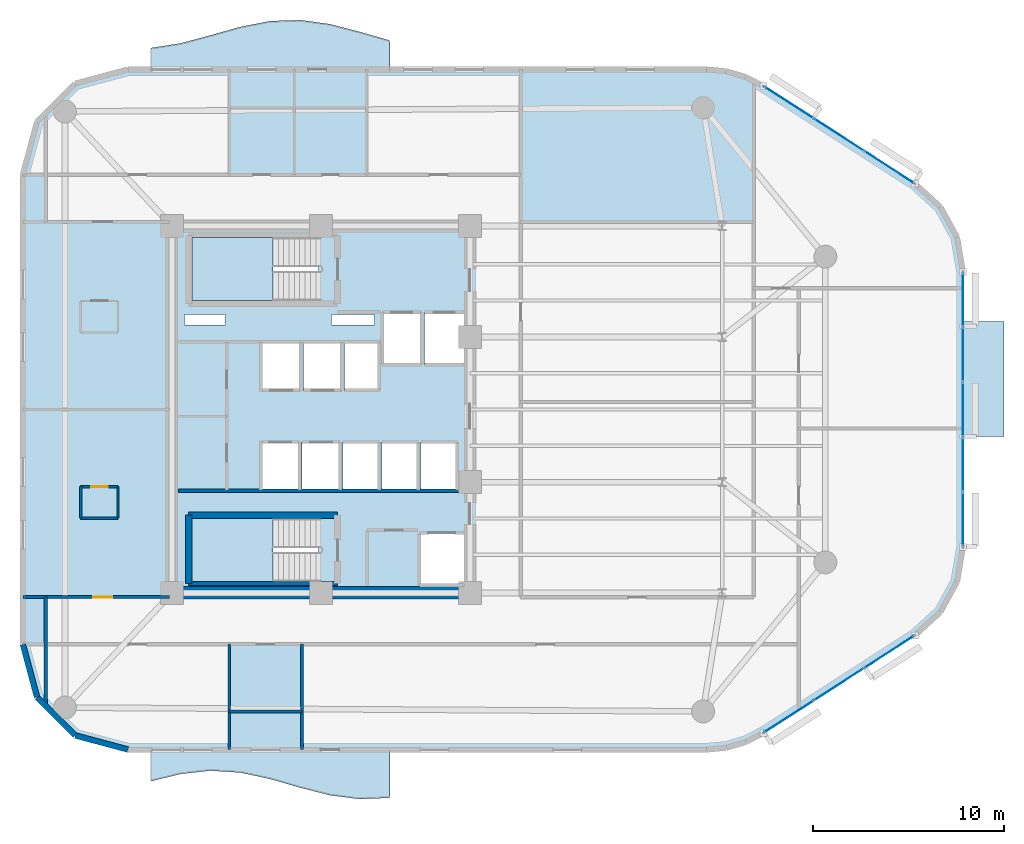
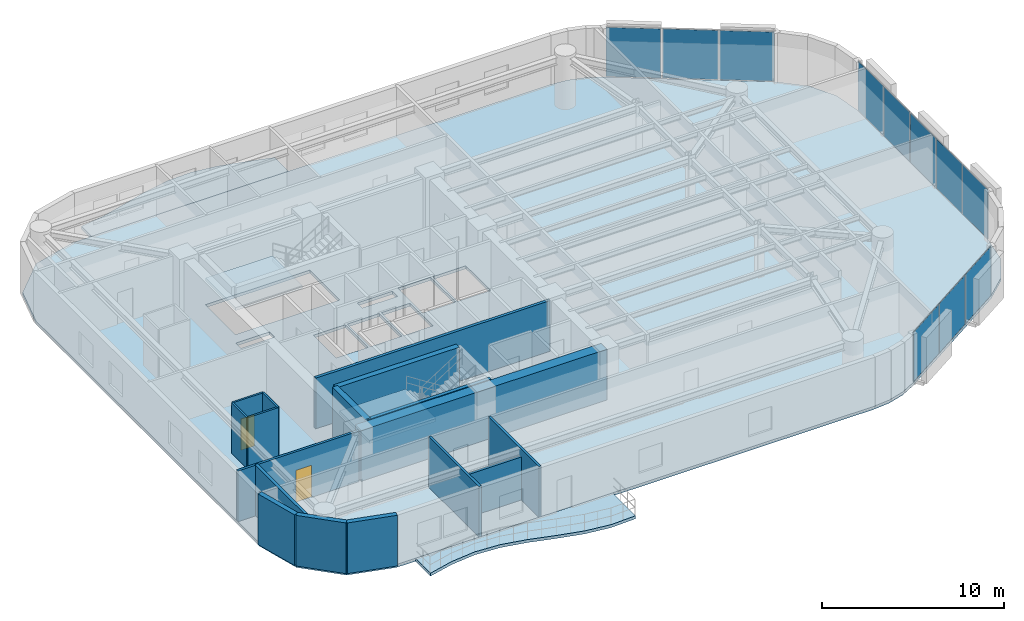
# One storey, part 9 of 15: 17 walls, 11 plates, 6 slabs, 2 doors, 2 openings, 5 elements without a shape of their own.
"""IFC4 building model written with IfcOpenShell, lengths in metres."""

from ifc_helpers import new_model, si_unit, direction, frame, frame_2d, origin, origin_2d, place, context, subcontext, project, spatial, polyline, rectangle, outline, extrude, material, layer, layer_set, type_object, element, fill, aggregate, save


model = new_model("IFC4")

# Units and contexts
model_context = context("Model", 3, precision=1e-05, world=origin(), true_north=direction((0.0, 1.0)))
body_context = subcontext(model_context, "Body", "Model", "MODEL_VIEW")
ifc_project = project(units=[si_unit("LENGTHUNIT", "METRE"), si_unit("AREAUNIT", "SQUARE_METRE"), si_unit("VOLUMEUNIT", "CUBIC_METRE"), si_unit("PLANEANGLEUNIT", "RADIAN"), si_unit("MASSUNIT", "GRAM", prefix="KILO")], contexts=[model_context])

# Site, building, storey
site_placement = place(None, origin())
site = spatial("IfcSite", under=ifc_project, at=site_placement, CompositionType="ELEMENT")
building_placement = place(site_placement, origin())
building = spatial("IfcBuilding", under=site, at=building_placement, Name="An Khanh Terracotta Commons", CompositionType="ELEMENT")
storey_placement = place(building_placement, frame((0.0, 0.0, 165.39990234375)))
storey = spatial("IfcBuildingStorey", under=building, at=storey_placement, Name="L43", CompositionType="ELEMENT", Elevation=165.39990234375)

# Curtain wall, plates
ifc_material_1 = material(Name="Anodised Aluminium 6063-T6", Category="aluminium")
ifc_layer_1 = layer(ifc_material_1, 0.2099609375, Name="Anodised Aluminium 6063-T6")
ifc_layer_set_1 = layer_set([ifc_layer_1], Name="Anodised Aluminium 6063-T6")
curtain_wall_type = type_object("IfcCurtainWallType", Name="CW-SYS-03", PredefinedType="USERDEFINED", material=ifc_layer_set_1)
curtain_wall_1_placement = place(storey_placement, origin())
curtain_wall_1 = element("IfcCurtainWall", 1, at=curtain_wall_1_placement, inside=storey, type_object=curtain_wall_type, Name="L43 CW-03 Unitised Curtain Wall CW-L43-08", ObjectType="UNITISED CURTAIN WALL", PredefinedType="USERDEFINED")
ifc_material_2 = material(Name="Acoustic Laminated Low-E Glazing", Category="glass")
ifc_layer_2 = layer(ifc_material_2, 0.035888671875, Name="Acoustic Laminated Low-E Glazing")
ifc_layer_set_2 = layer_set([ifc_layer_2], Name="Acoustic Laminated Low-E Glazing")
plate_type = type_object("IfcPlateType", Name="CWP-IGU-36", PredefinedType="CURTAIN_PANEL", material=ifc_layer_set_2)
plate_1_placement = place(storey_placement, frame((53.894287109375, 7.935546875, 0.05029296875), z_axis=(0.0, 0.0, 1.0), x_axis=(0.840702081986, 0.541497931062, 0.0)))
plate_1 = element("IfcPlate", 2, at=plate_1_placement, type_object=plate_type, Name="CW-03 panel 1.1", PredefinedType="CURTAIN_PANEL", context=body_context, shape_type="SweptSolid", body=[
    extrude(rectangle(XDim=3.034423828125, YDim=0.035888671875, at=origin_2d()), origin(), (0.0, 0.0, 1.0), 3.300048828125),
])
plate_2_placement = place(storey_placement, frame((56.51904296875, 9.6259765625, 0.05029296875), z_axis=(0.0, 0.0, 1.0), x_axis=(0.840702081986, 0.541497931062, 0.0)))
plate_2 = element("IfcPlate", 3, at=plate_2_placement, type_object=plate_type, Name="CW-03 panel 2.1", PredefinedType="CURTAIN_PANEL", context=body_context, shape_type="SweptSolid", body=[
    extrude(rectangle(XDim=3.0693359375, YDim=0.035888671875, at=origin_2d()), origin(), (0.0, 0.0, 1.0), 3.300048828125),
])
plate_3_placement = place(storey_placement, frame((59.1435546875, 11.31640625, 0.05029296875), z_axis=(0.0, 0.0, 1.0), x_axis=(0.840702081986, 0.541497931062, 0.0)))
plate_3 = element("IfcPlate", 4, at=plate_3_placement, type_object=plate_type, Name="CW-03 panel 3.1", PredefinedType="CURTAIN_PANEL", context=body_context, shape_type="SweptSolid", body=[
    extrude(rectangle(XDim=3.034423828125, YDim=0.035888671875, at=origin_2d()), origin(), (0.0, 0.0, 1.0), 3.300048828125),
])
aggregate(curtain_wall_1, [plate_1, plate_2, plate_3])

curtain_wall_2_placement = place(storey_placement, origin())
curtain_wall_2 = element("IfcCurtainWall", 5, at=curtain_wall_2_placement, inside=storey, type_object=curtain_wall_type, Name="L43 CW-03 Unitised Curtain Wall CW-L43-12", ObjectType="UNITISED CURTAIN WALL", PredefinedType="USERDEFINED")
plate_4_placement = place(storey_placement, frame((63.0, 18.257568359375, 0.05029296875), z_axis=(0.0, 0.0, 1.0), x_axis=(0.0, 1.0, 0.0)))
plate_4 = element("IfcPlate", 6, at=plate_4_placement, type_object=plate_type, Name="CW-03 panel 1.1", PredefinedType="CURTAIN_PANEL", context=body_context, shape_type="SweptSolid", body=[
    extrude(rectangle(XDim=2.77490234375, YDim=0.035888671875, at=origin_2d()), origin(), (0.0, 0.0, 1.0), 3.300048828125),
])
plate_5_placement = place(storey_placement, frame((63.0, 21.1201171875, 0.05029296875), z_axis=(0.0, 0.0, 1.0), x_axis=(0.0, 1.0, 0.0)))
plate_5 = element("IfcPlate", 7, at=plate_5_placement, type_object=plate_type, Name="CW-03 panel 2.1", PredefinedType="CURTAIN_PANEL", context=body_context, shape_type="SweptSolid", body=[
    extrude(rectangle(XDim=2.81005859375, YDim=0.035888671875, at=origin_2d()), origin(), (0.0, 0.0, 1.0), 3.300048828125),
])
plate_6_placement = place(storey_placement, frame((63.0, 24.0, 0.05029296875), z_axis=(0.0, 0.0, 1.0), x_axis=(0.0, 1.0, 0.0)))
plate_6 = element("IfcPlate", 8, at=plate_6_placement, type_object=plate_type, Name="CW-03 panel 3.1", PredefinedType="CURTAIN_PANEL", context=body_context, shape_type="SweptSolid", body=[
    extrude(rectangle(XDim=2.81005859375, YDim=0.035888671875, at=origin_2d()), origin(), (0.0, 0.0, 1.0), 3.300048828125),
])
plate_7_placement = place(storey_placement, frame((63.0, 26.8798828125, 0.05029296875), z_axis=(0.0, 0.0, 1.0), x_axis=(0.0, 1.0, 0.0)))
plate_7 = element("IfcPlate", 9, at=plate_7_placement, type_object=plate_type, Name="CW-03 panel 4.1", PredefinedType="CURTAIN_PANEL", context=body_context, shape_type="SweptSolid", body=[
    extrude(rectangle(XDim=2.81005859375, YDim=0.035888671875, at=origin_2d()), origin(), (0.0, 0.0, 1.0), 3.300048828125),
])
plate_8_placement = place(storey_placement, frame((63.0, 29.742431640625, 0.05029296875), z_axis=(0.0, 0.0, 1.0), x_axis=(0.0, 1.0, 0.0)))
plate_8 = element("IfcPlate", 10, at=plate_8_placement, type_object=plate_type, Name="CW-03 panel 5.1", PredefinedType="CURTAIN_PANEL", context=body_context, shape_type="SweptSolid", body=[
    extrude(rectangle(XDim=2.77490234375, YDim=0.035888671875, at=origin_2d()), origin(), (0.0, 0.0, 1.0), 3.300048828125),
])
aggregate(curtain_wall_2, [plate_4, plate_5, plate_6, plate_7, plate_8])

curtain_wall_3_placement = place(storey_placement, origin())
curtain_wall_3 = element("IfcCurtainWall", 11, at=curtain_wall_3_placement, inside=storey, type_object=curtain_wall_type, Name="L43 CW-03 Unitised Curtain Wall CW-L43-16", ObjectType="UNITISED CURTAIN WALL", PredefinedType="USERDEFINED")
plate_9_placement = place(storey_placement, frame((59.1435546875, 36.68359375, 0.05029296875), z_axis=(0.0, 0.0, 1.0), x_axis=(-0.840702081986, 0.541497931062, 0.0)))
plate_9 = element("IfcPlate", 12, at=plate_9_placement, type_object=plate_type, Name="CW-03 panel 1.1", PredefinedType="CURTAIN_PANEL", context=body_context, shape_type="SweptSolid", body=[
    extrude(rectangle(XDim=3.034423828125, YDim=0.035888671875, at=origin_2d()), origin(), (0.0, 0.0, 1.0), 3.300048828125),
])
plate_10_placement = place(storey_placement, frame((56.51904296875, 38.3740234375, 0.05029296875), z_axis=(0.0, 0.0, 1.0), x_axis=(-0.840702081986, 0.541497931062, 0.0)))
plate_10 = element("IfcPlate", 13, at=plate_10_placement, type_object=plate_type, Name="CW-03 panel 2.1", PredefinedType="CURTAIN_PANEL", context=body_context, shape_type="SweptSolid", body=[
    extrude(rectangle(XDim=3.0693359375, YDim=0.035888671875, at=origin_2d()), origin(), (0.0, 0.0, 1.0), 3.300048828125),
])
plate_11_placement = place(storey_placement, frame((53.894287109375, 40.064453125, 0.05029296875), z_axis=(0.0, 0.0, 1.0), x_axis=(-0.840702081986, 0.541497931062, 0.0)))
plate_11 = element("IfcPlate", 14, at=plate_11_placement, type_object=plate_type, Name="CW-03 panel 3.1", PredefinedType="CURTAIN_PANEL", context=body_context, shape_type="SweptSolid", body=[
    extrude(rectangle(XDim=3.034423828125, YDim=0.035888671875, at=origin_2d()), origin(), (0.0, 0.0, 1.0), 3.300048828125),
])
aggregate(curtain_wall_3, [plate_9, plate_10, plate_11])

# Slabs
ifc_material_3 = material(Name="Concrete C40/50", Category="concrete")
ifc_layer_3 = layer(ifc_material_3, 0.199951171875, Name="Concrete C40/50")
ifc_layer_set_3 = layer_set([ifc_layer_3], Name="Concrete C40/50")
slab_type_1 = type_object("IfcSlabType", Name="SLAB-BALC-200", PredefinedType="FLOOR", material=ifc_layer_set_3)
slab_1_placement = place(storey_placement, frame((0.0, 0.0, -0.199951171875)))
element("IfcSlab", 15, at=slab_1_placement, inside=storey, type_object=slab_type_1, Name="L43 S Sinusoidal Wave Balcony Slab", PredefinedType="FLOOR", context=body_context, shape_type="SweptSolid", body=[
    extrude(outline(polyline([(20.5, 6.199951171875), (20.5, 4.5439453125), (22.06201171875, 4.926025390625), (23.625, 5.096923828125), (25.18798828125, 4.99609375), (26.75, 4.659912109375), (28.31201171875, 4.2099609375), (29.875, 3.81103515625), (31.43798828125, 3.60888671875), (33.0, 3.677001953125), (33.0, 6.199951171875), (20.5, 6.199951171875)])), origin(), (0.0, 0.0, 1.0), 0.199951171875),
])
slab_2_placement = place(storey_placement, frame((0.0, 0.0, -0.199951171875)))
element("IfcSlab", 16, at=slab_2_placement, inside=storey, type_object=slab_type_1, Name="L43 N Sinusoidal Wave Balcony Slab", PredefinedType="FLOOR", context=body_context, shape_type="SweptSolid", body=[
    extrude(outline(polyline([(33.0, 41.800048828125), (33.0, 43.318115234375), (31.43798828125, 43.76611328125), (29.875, 44.172119140625), (28.31201171875, 44.386962890625), (26.75, 44.3330078125), (25.18798828125, 44.030029296875), (23.625, 43.589111328125), (22.06201171875, 43.1689453125), (20.5, 42.926025390625), (20.5, 41.800048828125), (33.0, 41.800048828125)])), origin(), (0.0, 0.0, 1.0), 0.199951171875),
])
ifc_layer_4 = layer(ifc_material_3, 0.22998046875, Name="Concrete C40/50")
ifc_layer_set_4 = layer_set([ifc_layer_4], Name="Concrete C40/50")
slab_type_2 = type_object("IfcSlabType", Name="SLAB-BOXROOF-230", PredefinedType="ROOF", material=ifc_layer_set_4)
slab_3_placement = place(storey_placement, frame((0.0, 0.0, -0.199951171875)))
element("IfcSlab", 17, at=slab_3_placement, inside=storey, type_object=slab_type_2, Name="L43 Shifted Social Kitchen Box Closing Roof Slab (L42)", PredefinedType="ROOF", context=body_context, shape_type="SweptSolid", body=[
    extrude(outline(polyline([(63.0, 22.60009765625), (65.14990234375, 22.60009765625), (65.14990234375, 28.60009765625), (63.0, 28.60009765625), (63.0, 22.60009765625)])), origin(), (0.0, 0.0, 1.0), 0.199951171875),
])

# Stair, slab
ifc_material_4 = material(Name="Precast concrete C40/50", Category="concrete")
stair_type = type_object("IfcStairType", Name="STAIR-CORE-1550", PredefinedType="HALF_TURN_STAIR", material=ifc_material_4)
stair_1_placement = place(storey_placement, origin())
stair_1 = element("IfcStair", 18, at=stair_1_placement, inside=storey, type_object=stair_type, Name="L43 Core Smokeproof Exit Stair ST-01", PredefinedType="HALF_TURN_STAIR")
ifc_layer_5 = layer(ifc_material_3, 0.18994140625, Name="Concrete C40/50")
ifc_layer_set_5 = layer_set([ifc_layer_5], Name="Concrete C40/50")
slab_type_3 = type_object("IfcSlabType", Name="SLAB-LANDING-190", PredefinedType="LANDING", material=ifc_layer_set_5)
slab_4_placement = place(storey_placement, frame((0.0, 0.0, 1.60009765625)))
slab_4 = element("IfcSlab", 19, at=slab_4_placement, type_object=slab_type_3, Name="ST-01 landing 1", PredefinedType="LANDING", context=body_context, shape_type="SweptSolid", body=[
    extrude(outline(polyline([(26.889892578125, 33.0), (22.64990234375, 33.0), (22.64990234375, 29.699951171875), (26.889892578125, 29.699951171875), (26.889892578125, 33.0)])), origin(), (0.0, 0.0, 1.0), 0.199951171875),
])
aggregate(stair_1, [slab_4])

stair_2_placement = place(storey_placement, origin())
stair_2 = element("IfcStair", 20, at=stair_2_placement, inside=storey, type_object=stair_type, Name="L43 Core Smokeproof Exit Stair ST-02", PredefinedType="HALF_TURN_STAIR")
slab_5_placement = place(storey_placement, frame((0.0, 0.0, 1.60009765625)))
slab_5 = element("IfcSlab", 21, at=slab_5_placement, type_object=slab_type_3, Name="ST-02 landing 1", PredefinedType="LANDING", context=body_context, shape_type="SweptSolid", body=[
    extrude(outline(polyline([(26.889892578125, 18.300048828125), (22.64990234375, 18.300048828125), (22.64990234375, 15.0), (26.889892578125, 15.0), (26.889892578125, 18.300048828125)])), origin(), (0.0, 0.0, 1.0), 0.199951171875),
])
aggregate(stair_2, [slab_5])

# Slab
ifc_layer_6 = layer(ifc_material_3, 0.199951171875, Name="Concrete C40/50")
ifc_layer_set_6 = layer_set([ifc_layer_6], Name="Concrete C40/50")
slab_type_4 = type_object("IfcSlabType", Name="SLAB-TYP-200", PredefinedType="FLOOR", material=ifc_layer_set_6)
slab_6_placement = place(storey_placement, frame((0.0, 0.0, -0.199951171875)))
element("IfcSlab", 22, at=slab_6_placement, inside=storey, type_object=slab_type_4, Name="L43 Structural Floor Slab", PredefinedType="FLOOR", context=body_context, shape_type="SweptSolid", body=[
    extrude(outline(polyline([(13.800048828125, 11.699951171875), (14.537109375, 8.949951171875), (16.550048828125, 6.93701171875), (19.300048828125, 6.199951171875), (49.58203125, 6.199951171875), (50.625, 6.300048828125), (51.6298828125, 6.594970703125), (52.56005859375, 7.075927734375), (60.47802734375, 12.176025390625), (61.825927734375, 13.403076171875), (62.697998046875, 15.0029296875), (63.0, 16.800048828125), (63.0, 31.199951171875), (62.697998046875, 32.9970703125), (61.825927734375, 34.596923828125), (60.47802734375, 35.823974609375), (52.56005859375, 40.924072265625), (51.6298828125, 41.405029296875), (50.625, 41.699951171875), (49.58203125, 41.800048828125), (19.300048828125, 41.800048828125), (16.550048828125, 41.06298828125), (14.537109375, 39.050048828125), (13.800048828125, 36.300048828125), (13.800048828125, 11.699951171875)]), holes=[polyline([(22.64990234375, 29.699951171875), (29.27001953125, 29.699951171875), (29.27001953125, 33.0), (22.64990234375, 33.0), (22.64990234375, 29.699951171875)]), polyline([(22.64990234375, 15.0), (29.27001953125, 15.0), (29.27001953125, 18.300048828125), (22.64990234375, 18.300048828125), (22.64990234375, 15.0)]), polyline([(32.60009765625, 26.35009765625), (34.679931640625, 26.35009765625), (34.679931640625, 29.080078125), (32.60009765625, 29.080078125), (32.60009765625, 26.35009765625)]), polyline([(34.820068359375, 26.35009765625), (36.89990234375, 26.35009765625), (36.89990234375, 29.080078125), (34.820068359375, 29.080078125), (34.820068359375, 26.35009765625)]), polyline([(34.550048828125, 14.800048828125), (36.89990234375, 14.800048828125), (36.89990234375, 17.550048828125), (34.550048828125, 17.550048828125), (34.550048828125, 14.800048828125)]), polyline([(26.320068359375, 25.0), (28.340087890625, 25.0), (28.340087890625, 27.5), (26.320068359375, 27.5), (26.320068359375, 25.0)]), polyline([(28.47998046875, 25.0), (30.5, 25.0), (30.5, 27.5), (28.47998046875, 27.5), (28.47998046875, 25.0)]), polyline([(26.280029296875, 19.800048828125), (28.280029296875, 19.800048828125), (28.280029296875, 22.300048828125), (26.280029296875, 22.300048828125), (26.280029296875, 19.800048828125)]), polyline([(28.419921875, 19.800048828125), (30.419921875, 19.800048828125), (30.419921875, 22.300048828125), (28.419921875, 22.300048828125), (28.419921875, 19.800048828125)]), polyline([(30.639892578125, 25.0), (32.4599609375, 25.0), (32.4599609375, 27.5), (30.639892578125, 27.5), (30.639892578125, 25.0)]), polyline([(30.56005859375, 19.800048828125), (32.4599609375, 19.800048828125), (32.4599609375, 22.300048828125), (30.56005859375, 22.300048828125), (30.56005859375, 19.800048828125)]), polyline([(32.60009765625, 19.800048828125), (34.5, 19.800048828125), (34.5, 22.300048828125), (32.60009765625, 22.300048828125), (32.60009765625, 19.800048828125)]), polyline([(34.639892578125, 19.800048828125), (36.5400390625, 19.800048828125), (36.5400390625, 22.300048828125), (34.639892578125, 22.300048828125), (34.639892578125, 19.800048828125)]), polyline([(22.25, 28.419921875), (24.39990234375, 28.419921875), (24.39990234375, 28.97998046875), (22.25, 28.97998046875), (22.25, 28.419921875)]), polyline([(29.949951171875, 28.419921875), (32.199951171875, 28.419921875), (32.199951171875, 28.97998046875), (29.949951171875, 28.97998046875), (29.949951171875, 28.419921875)])]), origin(), (0.0, 0.0, 1.0), 0.199951171875),
])

# Walls
ifc_material_5 = material(Name="Concrete C60/75", Category="concrete")
ifc_layer_7 = layer(ifc_material_5, 0.64990234375, Name="Concrete C60/75")
ifc_layer_set_7 = layer_set([ifc_layer_7], Name="Concrete C60/75")
wall_type_1 = type_object("IfcWallType", Name="WALL-CORE-650", PredefinedType="SHEAR", material=ifc_layer_set_7)
wall_1_placement = place(storey_placement, frame((37.199951171875, 14.39990234375, 0.0), z_axis=(0.0, 0.0, 1.0), x_axis=(-1.0, 0.0, 0.0)))
element("IfcWall", 23, at=wall_1_placement, inside=storey, type_object=wall_type_1, Name="L43 Core Wall CWALL-L43-S", PredefinedType="SHEAR", context=body_context, shape_type="SweptSolid", body=[
    extrude(rectangle(XDim=15.599853515625, YDim=0.64990234375, at=frame_2d((7.7998046875, 0.0))), origin(), (0.0, 0.0, 1.0), 3.400146484375),
])
ifc_material_6 = material(Name="Fire-Rated Gypsum Board on Steel Stud", Category="steel")
ifc_layer_8 = layer(ifc_material_6, 0.179931640625, Name="Fire-Rated Gypsum Board on Steel Stud")
ifc_layer_set_8 = layer_set([ifc_layer_8], Name="Fire-Rated Gypsum Board on Steel Stud")
wall_type_2 = type_object("IfcWallType", Name="WALL-CORR-180", PredefinedType="PARTITIONING", material=ifc_layer_set_8)
wall_2_placement = place(storey_placement, frame((21.949951171875, 19.760009765625, 0.0), z_axis=(0.0, 0.0, 1.0), x_axis=(1.0, 0.0, 0.0)))
element("IfcWall", 24, at=wall_2_placement, inside=storey, type_object=wall_type_2, Name="L43 Core Wall SVW-L43-N", PredefinedType="PARTITIONING", context=body_context, shape_type="SweptSolid", body=[
    extrude(rectangle(XDim=14.8701171875, YDim=0.179931640625, at=frame_2d((7.43505859375, 0.0))), origin(), (0.0, 0.0, 1.0), 3.400146484375),
])
wall_3_placement = place(storey_placement, frame((15.0, 8.487060546875, 0.0), z_axis=(0.0, 0.0, 1.0), x_axis=(0.0, 1.0, 0.0)))
element("IfcWall", 25, at=wall_3_placement, inside=storey, type_object=wall_type_2, Name="L43 Interior Partition IW-L43-E013", PredefinedType="PARTITIONING", context=body_context, shape_type="SweptSolid", body=[
    extrude(rectangle(XDim=5.69287109375, YDim=0.179931640625, at=frame_2d((2.846435546875, 0.0))), origin(), (0.0, 0.0, 1.0), 3.400146484375),
])
ifc_layer_9 = layer(ifc_material_4, 0.300048828125, Name="Precast concrete C40/50")
ifc_layer_set_9 = layer_set([ifc_layer_9], Name="Precast concrete C40/50")
wall_type_3 = type_object("IfcWallType", Name="WALL-EXT-300", PredefinedType="SOLIDWALL", material=ifc_layer_set_9)
wall_4_placement = place(storey_placement, frame((13.800048828125, 11.699951171875, 0.0), z_axis=(0.0, 0.0, 1.0), x_axis=(0.258884674387, -0.965908238586, 0.0)))
element("IfcWall", 26, at=wall_4_placement, inside=storey, type_object=wall_type_3, Name="L43 Insulated Terracotta Exterior Wall 1", PredefinedType="SOLIDWALL", context=body_context, shape_type="SweptSolid", body=[
    extrude(rectangle(XDim=2.84716796875, YDim=0.300048828125, at=frame_2d((1.423583984375, 0.0))), origin(), (0.0, 0.0, 1.0), 3.400146484375),
])
wall_5_placement = place(storey_placement, frame((14.537109375, 8.949951171875, 0.0), z_axis=(0.0, 0.0, 1.0), x_axis=(0.707106781187, -0.707106781187, 0.0)))
element("IfcWall", 27, at=wall_5_placement, inside=storey, type_object=wall_type_3, Name="L43 Insulated Terracotta Exterior Wall 2", PredefinedType="SOLIDWALL", context=body_context, shape_type="SweptSolid", body=[
    extrude(rectangle(XDim=2.8466796875, YDim=0.300048828125, at=frame_2d((1.42333984375, 0.0))), origin(), (0.0, 0.0, 1.0), 3.400146484375),
])
wall_6_placement = place(storey_placement, frame((16.550048828125, 6.93701171875, 0.0), z_axis=(0.0, 0.0, 1.0), x_axis=(0.965908238586, -0.258884674387, 0.0)))
element("IfcWall", 28, at=wall_6_placement, inside=storey, type_object=wall_type_3, Name="L43 Insulated Terracotta Exterior Wall 3", PredefinedType="SOLIDWALL", context=body_context, shape_type="SweptSolid", body=[
    extrude(rectangle(XDim=2.84716796875, YDim=0.300048828125, at=frame_2d((1.423583984375, 0.0))), origin(), (0.0, 0.0, 1.0), 3.400146484375),
])
ifc_material_7 = material(Name="Acoustic Gypsum Board Partition")
ifc_layer_10 = layer(ifc_material_7, 0.14990234375, Name="Acoustic Gypsum Board Partition")
ifc_layer_set_10 = layer_set([ifc_layer_10], Name="Acoustic Gypsum Board Partition")
wall_type_4 = type_object("IfcWallType", Name="WALL-PART-150", PredefinedType="PARTITIONING", material=ifc_layer_set_10)
wall_7_placement = place(storey_placement, frame((24.60009765625, 8.199951171875, 0.0), z_axis=(0.0, 0.0, 1.0), x_axis=(1.0, 0.0, 0.0)))
element("IfcWall", 29, at=wall_7_placement, inside=storey, type_object=wall_type_4, Name="L43 Interior Partition IW-L43-E001", PredefinedType="PARTITIONING", context=body_context, shape_type="SweptSolid", body=[
    extrude(rectangle(XDim=3.7998046875, YDim=0.14990234375, at=frame_2d((1.89990234375, 0.0))), origin(), (0.0, 0.0, 1.0), 2.882080078125),
])

# Wall, opening, door
wall_8_placement = place(storey_placement, frame((13.800048828125, 14.179931640625, 0.0), z_axis=(0.0, 0.0, 1.0), x_axis=(1.0, 0.0, 0.0)))
wall_8 = element("IfcWall", 30, at=wall_8_placement, inside=storey, type_object=wall_type_4, Name="L43 Interior Partition IW-L43-E003", PredefinedType="PARTITIONING", context=body_context, shape_type="SweptSolid", body=[
    extrude(rectangle(XDim=7.679931640625, YDim=0.14990234375, at=frame_2d((3.83984375, 0.0))), origin(), (0.0, 0.0, 1.0), 3.400146484375),
])
opening_1_placement = place(wall_8_placement, frame((3.679931640625, 0.0, 0.0)))
opening_1 = element("IfcOpeningElement", 31, at=opening_1_placement, cuts=wall_8, Name="Opening D-UN", PredefinedType="OPENING", context=body_context, shape_type="SweptSolid", body=[
    extrude(rectangle(XDim=1.0, YDim=2.14990234375, at=frame_2d((0.5, 1.074951171875))), frame((0.0, 0.0849609375, 0.0), z_axis=(0.0, -1.0, 0.0), x_axis=(1.0, 0.0, 0.0)), (0.0, 0.0, 1.0), 0.169921875),
])
ifc_material_8 = material(Name="Solid-Core Hardwood Acoustic Fire Door", Category="wood")
door_type_1 = type_object("IfcDoorType", Name="DOOR-UNIT-1000", OperationType="NOTDEFINED", PredefinedType="DOOR", material=ifc_material_8)
door_1_placement = place(opening_1_placement, origin())
door_1 = element("IfcDoor", 32, at=door_1_placement, inside=storey, type_object=door_type_1, Name="L43 WW1 Kitchenette and Studio Apartment Door", OperationType="SINGLE_SWING_LEFT", OverallHeight=2.14990234375, OverallWidth=1.0, PredefinedType="DOOR", context=body_context, shape_type="SweptSolid", body=[
    extrude(rectangle(XDim=1.0, YDim=2.14990234375, at=frame_2d((0.5, 1.074951171875))), frame((0.0, 0.02490234375, 0.0), z_axis=(0.0, -1.0, 0.0), x_axis=(1.0, 0.0, 0.0)), (0.0, 0.0, 1.0), 0.050048828125),
])
fill(opening_1, door_1)

# Walls
for number, where, z_axis, x_axis, name in (
    (33, (24.60009765625, 6.199951171875, 0.0), (0.0, 0.0, 1.0), (0.0, 1.0, 0.0), "L43 Interior Partition IW-L43-E015"),
    (34, (28.39990234375, 6.199951171875, 0.0), (0.0, 0.0, 1.0), (0.0, 1.0, 0.0), "L43 Interior Partition IW-L43-E018"),
):
    element("IfcWall", number, at=place(storey_placement, frame(where, z_axis=z_axis, x_axis=x_axis)), inside=storey, type_object=wall_type_4, Name=name, PredefinedType="PARTITIONING", context=body_context, shape_type="SweptSolid", body=[
        extrude(rectangle(XDim=5.52001953125, YDim=0.14990234375, at=frame_2d((2.760009765625, 0.0))), origin(), (0.0, 0.0, 1.0), 3.400146484375),
    ])
ifc_material_9 = material(Name="Acoustic Double-Stud Gypsum and Mineral Wool")
ifc_layer_11 = layer(ifc_material_9, 0.219970703125, Name="Acoustic Double-Stud Gypsum and Mineral Wool")
ifc_layer_set_11 = layer_set([ifc_layer_11], Name="Acoustic Double-Stud Gypsum and Mineral Wool")
wall_type_5 = type_object("IfcWallType", Name="WALL-PARTY-220", PredefinedType="PARTITIONING", material=ifc_layer_set_11)
wall_9_placement = place(storey_placement, frame((22.47998046875, 14.889892578125, 0.0), z_axis=(0.0, 0.0, 1.0), x_axis=(1.0, 0.0, 0.0)))
element("IfcWall", 35, at=wall_9_placement, inside=storey, type_object=wall_type_5, Name="L43 Core Wall STW-L43-S-S", PredefinedType="PARTITIONING", context=body_context, shape_type="SweptSolid", body=[
    extrude(rectangle(XDim=7.7900390625, YDim=0.219970703125, at=frame_2d((3.89501953125, 0.0))), origin(), (0.0, 0.0, 1.0), 3.400146484375),
])
ifc_material_10 = material(Name="Concrete C50/60", Category="concrete")
ifc_layer_12 = layer(ifc_material_10, 0.35009765625, Name="Concrete C50/60")
ifc_layer_set_12 = layer_set([ifc_layer_12], Name="Concrete C50/60")
wall_type_6 = type_object("IfcWallType", Name="WALL-SHAFT-350", PredefinedType="SOLIDWALL", material=ifc_layer_set_12)
wall_10_placement = place(storey_placement, frame((22.47998046875, 18.469970703125, 0.0), z_axis=(0.0, 0.0, 1.0), x_axis=(1.0, 0.0, 0.0)))
element("IfcWall", 36, at=wall_10_placement, inside=storey, type_object=wall_type_6, Name="L43 Core Wall STW-L43-S-N", PredefinedType="SOLIDWALL", context=body_context, shape_type="SweptSolid", body=[
    extrude(rectangle(XDim=7.7900390625, YDim=0.35009765625, at=frame_2d((3.89501953125, 0.0))), origin(), (0.0, 0.0, 1.0), 3.400146484375),
])
wall_11_placement = place(storey_placement, frame((22.47998046875, 14.889892578125, 0.0), z_axis=(0.0, 0.0, 1.0), x_axis=(0.0, 1.0, 0.0)))
element("IfcWall", 37, at=wall_11_placement, inside=storey, type_object=wall_type_6, Name="L43 Core Wall STW-L43-S-W", PredefinedType="SOLIDWALL", context=body_context, shape_type="SweptSolid", body=[
    extrude(rectangle(XDim=3.580078125, YDim=0.35009765625, at=frame_2d((1.7900390625, 0.0))), origin(), (0.0, 0.0, 1.0), 3.400146484375),
])

# Wall, opening, door
ifc_material_11 = material(Name="Moisture-Resistant Cement Board Partition")
ifc_layer_13 = layer(ifc_material_11, 0.1201171875, Name="Moisture-Resistant Cement Board Partition")
ifc_layer_set_13 = layer_set([ifc_layer_13], Name="Moisture-Resistant Cement Board Partition")
wall_type_7 = type_object("IfcWallType", Name="WALL-WET-120", PredefinedType="PARTITIONING", material=ifc_layer_set_13)
wall_12_placement = place(storey_placement, frame((16.824951171875, 19.965087890625, 0.0), z_axis=(0.0, 0.0, 1.0), x_axis=(1.0, 0.0, 0.0)))
wall_12 = element("IfcWall", 38, at=wall_12_placement, inside=storey, type_object=wall_type_7, Name="L43 Interior Partition IW-L43-WW1-BN", PredefinedType="PARTITIONING", context=body_context, shape_type="SweptSolid", body=[
    extrude(rectangle(XDim=1.949951171875, YDim=0.1201171875, at=frame_2d((0.97509765625, 0.0))), origin(), (0.0, 0.0, 1.0), 3.400146484375),
])
opening_2_placement = place(wall_12_placement, frame((0.544921875, 0.0, 0.0)))
opening_2 = element("IfcOpeningElement", 39, at=opening_2_placement, cuts=wall_12, Name="Opening D-ENS", PredefinedType="OPENING", context=body_context, shape_type="SweptSolid", body=[
    extrude(rectangle(XDim=0.860107421875, YDim=2.10009765625, at=frame_2d((0.43017578125, 1.050048828125))), frame((0.0, 0.070068359375, 0.0), z_axis=(0.0, -1.0, 0.0), x_axis=(1.0, 0.0, 0.0)), (0.0, 0.0, 1.0), 0.14013671875),
])
ifc_material_12 = material(Name="Moisture-Resistant Hardwood Timber Leaf", Category="wood")
door_type_2 = type_object("IfcDoorType", Name="DOOR-BATH-860", OperationType="NOTDEFINED", PredefinedType="DOOR", material=ifc_material_12)
door_2_placement = place(opening_2_placement, origin())
door_2 = element("IfcDoor", 40, at=door_2_placement, inside=storey, type_object=door_type_2, Name="L43 Studio WW1 En-suite Door", OperationType="SINGLE_SWING_LEFT", OverallHeight=2.10009765625, OverallWidth=0.860107421875, PredefinedType="DOOR", context=body_context, shape_type="SweptSolid", body=[
    extrude(rectangle(XDim=0.860107421875, YDim=2.10009765625, at=frame_2d((0.43017578125, 1.050048828125))), frame((0.0, 0.02490234375, 0.0), z_axis=(0.0, -1.0, 0.0), x_axis=(1.0, 0.0, 0.0)), (0.0, 0.0, 1.0), 0.050048828125),
])
fill(opening_2, door_2)

# Walls
wall_13_placement = place(storey_placement, frame((18.77490234375, 18.31494140625, 0.0), z_axis=(0.0, 0.0, 1.0), x_axis=(-1.0, 0.0, 0.0)))
element("IfcWall", 41, at=wall_13_placement, inside=storey, type_object=wall_type_7, Name="L43 Interior Partition IW-L43-WW1-BS", PredefinedType="PARTITIONING", context=body_context, shape_type="SweptSolid", body=[
    extrude(rectangle(XDim=1.949951171875, YDim=0.1201171875, at=frame_2d((0.97509765625, 0.0))), origin(), (0.0, 0.0, 1.0), 3.400146484375),
])
for number, where, z_axis, x_axis, name in (
    (42, (16.824951171875, 19.965087890625, 0.0), (0.0, 0.0, 1.0), (0.0, -1.0, 0.0), "L43 Interior Partition IW-L43-WW1-BW"),
    (43, (18.77490234375, 18.31494140625, 0.0), (0.0, 0.0, 1.0), (0.0, 1.0, 0.0), "L43 Interior Partition IW-L43-WW1-BE"),
):
    element("IfcWall", number, at=place(storey_placement, frame(where, z_axis=z_axis, x_axis=x_axis)), inside=storey, type_object=wall_type_7, Name=name, PredefinedType="PARTITIONING", context=body_context, shape_type="SweptSolid", body=[
        extrude(rectangle(XDim=1.650146484375, YDim=0.1201171875, at=frame_2d((0.8251953125, 0.0))), origin(), (0.0, 0.0, 1.0), 3.400146484375),
    ])

save(model, "model.ifc")
